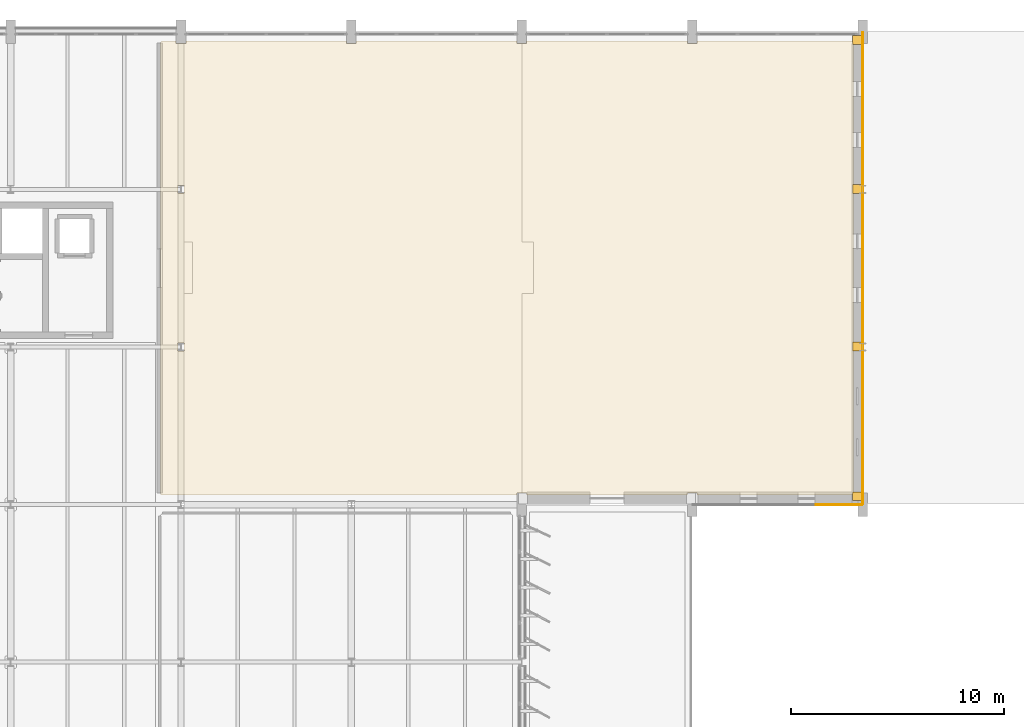
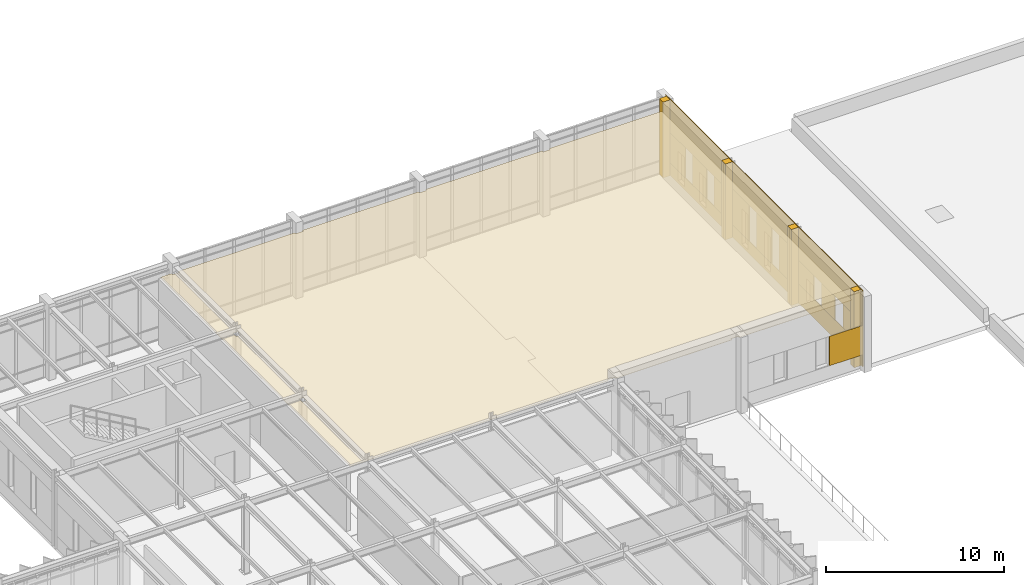
# One storey, part 48 of 48: 21 coverings.
"""IFC4 building model written with IfcOpenShell, lengths in metres."""

from ifc_helpers import new_model, si_unit, direction, frame, frame_2d, origin, origin_2d, place, context, subcontext, project, spatial, polyline, rectangle, outline, extrude, material, layer, layer_set, type_object, element, save


model = new_model("IFC4")

# Units and contexts
model_context = context("Model", 3, precision=1e-05, world=origin(), true_north=direction((0.0, 1.0)))
body_context = subcontext(model_context, "Body", "Model", "MODEL_VIEW")
ifc_project = project(units=[si_unit("LENGTHUNIT", "METRE"), si_unit("AREAUNIT", "SQUARE_METRE"), si_unit("VOLUMEUNIT", "CUBIC_METRE"), si_unit("PLANEANGLEUNIT", "RADIAN"), si_unit("MASSUNIT", "GRAM", prefix="KILO")], contexts=[model_context])

# Site, building, storey
site_placement = place(None, origin())
site = spatial("IfcSite", under=ifc_project, at=site_placement, CompositionType="ELEMENT")
building_placement = place(site_placement, origin())
building = spatial("IfcBuilding", under=site, at=building_placement, Name="Valkorina Park Police Headquarters", CompositionType="ELEMENT")
storey_placement = place(building_placement, frame((0.0, 0.0, 18.10009765625)))
storey = spatial("IfcBuildingStorey", under=building, at=storey_placement, Name="L05", CompositionType="ELEMENT", Elevation=18.10009765625)

# Coverings
ifc_material_1 = material(Name="Acoustic mineral board")
ifc_layer_1 = layer(ifc_material_1, 0.02490234375)
ifc_layer_set_1 = layer_set([ifc_layer_1], Name="Acoustic mineral board")
covering_type_1 = type_object("IfcCoveringType", Name="COV-CEILING-ACOUST", PredefinedType="CEILING", material=ifc_layer_set_1)
covering_1_placement = place(storey_placement, frame((0.0, 0.0, 4.454833984375)))
element("IfcCovering", 1, at=covering_1_placement, inside=storey, type_object=covering_type_1, Name="112 Emergency Command and Control Room Acoustic Suspended Ceiling", PredefinedType="CEILING", context=body_context, shape_type="SweptSolid", body=[
    extrude(outline(polyline([(96.550537109375, 80.95849609375), (96.542724609375, 80.959716796875), (96.534912109375, 80.9599609375), (95.919921875, 80.9599609375), (95.912109375, 80.959716796875), (95.904296875, 80.95849609375), (95.896728515625, 80.95654296875), (95.889404296875, 80.953857421875), (95.88232421875, 80.95068359375), (95.87548828125, 80.946533203125), (95.869140625, 80.94189453125), (95.86328125, 80.9365234375), (95.858154296875, 80.930908203125), (95.853515625, 80.92431640625), (95.849365234375, 80.917724609375), (95.84619140625, 80.91064453125), (95.843505859375, 80.9033203125), (95.841552734375, 80.8955078125), (95.84033203125, 80.8876953125), (95.840087890625, 80.8798828125), (95.840087890625, 59.719970703125), (95.84033203125, 59.712158203125), (95.841552734375, 59.704345703125), (95.843505859375, 59.69677734375), (95.84619140625, 59.689453125), (95.849365234375, 59.682373046875), (95.853515625, 59.675537109375), (95.858154296875, 59.669189453125), (95.86328125, 59.663330078125), (95.869140625, 59.658203125), (95.87548828125, 59.653564453125), (95.88232421875, 59.6494140625), (95.889404296875, 59.64599609375), (95.896728515625, 59.643310546875), (95.904296875, 59.6416015625), (95.912109375, 59.640380859375), (95.919921875, 59.639892578125), (112.534912109375, 59.639892578125), (112.542724609375, 59.640380859375), (112.550537109375, 59.6416015625), (112.55810546875, 59.643310546875), (112.565673828125, 59.64599609375), (112.57275390625, 59.6494140625), (112.574951171875, 59.65087890625), (112.574951171875, 59.75), (113.02490234375, 59.75), (113.02490234375, 59.65087890625), (113.02734375, 59.6494140625), (113.034423828125, 59.64599609375), (113.041748046875, 59.643310546875), (113.04931640625, 59.6416015625), (113.05712890625, 59.640380859375), (113.06494140625, 59.639892578125), (120.534912109375, 59.639892578125), (120.542724609375, 59.640380859375), (120.550537109375, 59.6416015625), (120.55810546875, 59.643310546875), (120.565673828125, 59.64599609375), (120.57275390625, 59.6494140625), (120.574951171875, 59.65087890625), (120.574951171875, 59.75), (121.02490234375, 59.75), (121.02490234375, 59.65087890625), (121.02734375, 59.6494140625), (121.034423828125, 59.64599609375), (121.041748046875, 59.643310546875), (121.04931640625, 59.6416015625), (121.05712890625, 59.640380859375), (121.06494140625, 59.639892578125), (128.280029296875, 59.639892578125), (128.287841796875, 59.640380859375), (128.295654296875, 59.6416015625), (128.30322265625, 59.643310546875), (128.310546875, 59.64599609375), (128.317626953125, 59.6494140625), (128.324462890625, 59.653564453125), (128.330810546875, 59.658203125), (128.336669921875, 59.663330078125), (128.341796875, 59.669189453125), (128.346435546875, 59.675537109375), (128.3505859375, 59.682373046875), (128.35400390625, 59.689453125), (128.356689453125, 59.69677734375), (128.3583984375, 59.704345703125), (128.359619140625, 59.712158203125), (128.360107421875, 59.719970703125), (128.360107421875, 80.8798828125), (128.359619140625, 80.8876953125), (128.3583984375, 80.8955078125), (128.356689453125, 80.9033203125), (128.35400390625, 80.91064453125), (128.3505859375, 80.917724609375), (128.346435546875, 80.92431640625), (128.341796875, 80.930908203125), (128.336669921875, 80.9365234375), (128.330810546875, 80.94189453125), (128.324462890625, 80.946533203125), (128.317626953125, 80.95068359375), (128.310546875, 80.953857421875), (128.30322265625, 80.95654296875), (128.295654296875, 80.95849609375), (128.287841796875, 80.959716796875), (128.280029296875, 80.9599609375), (121.06494140625, 80.9599609375), (121.05712890625, 80.959716796875), (121.04931640625, 80.95849609375), (121.041748046875, 80.95654296875), (121.034423828125, 80.953857421875), (121.02734375, 80.95068359375), (121.02490234375, 80.94921875), (121.02490234375, 80.85009765625), (120.574951171875, 80.85009765625), (120.574951171875, 80.94921875), (120.57275390625, 80.95068359375), (120.565673828125, 80.953857421875), (120.55810546875, 80.95654296875), (120.550537109375, 80.95849609375), (120.542724609375, 80.959716796875), (120.534912109375, 80.9599609375), (113.06494140625, 80.9599609375), (113.05712890625, 80.959716796875), (113.04931640625, 80.95849609375), (113.041748046875, 80.95654296875), (113.034423828125, 80.953857421875), (113.02734375, 80.95068359375), (113.02490234375, 80.94921875), (113.02490234375, 80.85009765625), (112.574951171875, 80.85009765625), (112.574951171875, 80.94921875), (112.57275390625, 80.95068359375), (112.565673828125, 80.953857421875), (112.55810546875, 80.95654296875), (112.550537109375, 80.95849609375), (112.542724609375, 80.959716796875), (112.534912109375, 80.9599609375), (105.06494140625, 80.9599609375), (105.05712890625, 80.959716796875), (105.04931640625, 80.95849609375), (105.041748046875, 80.95654296875), (105.034423828125, 80.953857421875), (105.02734375, 80.95068359375), (105.02490234375, 80.94921875), (105.02490234375, 80.85009765625), (104.574951171875, 80.85009765625), (104.574951171875, 80.94921875), (104.57275390625, 80.95068359375), (104.565673828125, 80.953857421875), (104.55810546875, 80.95654296875), (104.550537109375, 80.95849609375), (104.542724609375, 80.959716796875), (104.534912109375, 80.9599609375), (97.06494140625, 80.9599609375), (97.05712890625, 80.959716796875), (97.04931640625, 80.95849609375), (97.041748046875, 80.95654296875), (97.034423828125, 80.953857421875), (97.02734375, 80.95068359375), (97.02490234375, 80.94921875), (97.02490234375, 80.85009765625), (96.574951171875, 80.85009765625), (96.574951171875, 80.94921875), (96.57275390625, 80.95068359375), (96.565673828125, 80.953857421875), (96.55810546875, 80.95654296875), (96.550537109375, 80.95849609375)]), holes=[polyline([(96.64990234375, 74.179931640625), (96.949951171875, 74.179931640625), (96.949951171875, 73.820068359375), (96.64990234375, 73.820068359375), (96.64990234375, 74.179931640625)]), polyline([(96.64990234375, 66.780029296875), (96.949951171875, 66.780029296875), (96.949951171875, 66.419921875), (96.64990234375, 66.419921875), (96.64990234375, 66.780029296875)])]), origin(), (0.0, 0.0, 1.0), 0.025146484375),
])
ifc_material_2 = material(Name="Precast concrete C40/50", Category="concrete")
ifc_layer_2 = layer(ifc_material_2, 0.044921875)
ifc_layer_set_2 = layer_set([ifc_layer_2], Name="Precast concrete C40/50")
covering_type_2 = type_object("IfcCoveringType", Name="COV-CLAD-DOLOMITE", PredefinedType="CLADDING", material=ifc_layer_set_2)
for number, where, z_axis, x_axis, name in (
    (2, (128.550048828125, 81.010009765625, 0.0), (0.0, 0.0, 1.0), (0.0, 1.0, 0.0), "L05 Exterior Joint Closure Pilaster A 2444"),
    (3, (128.550048828125, 74.02001953125, 0.0), (0.0, 0.0, 1.0), (0.0, 1.0, 0.0), "L05 Exterior Joint Closure Pilaster B 2445"),
):
    element("IfcCovering", number, at=place(storey_placement, frame(where, z_axis=z_axis, x_axis=x_axis)), inside=storey, type_object=covering_type_2, Name=name, PredefinedType="CLADDING", context=body_context, shape_type="SweptSolid", body=[
        extrude(rectangle(XDim=0.419921875, YDim=0.449951171875, at=origin_2d()), origin(), (0.0, 0.0, 1.0), 5.199951171875),
    ])
covering_2_placement = place(storey_placement, frame((128.81494140625, 81.3798828125, 0.0), z_axis=(0.0, 0.0, 1.0), x_axis=(0.0, -1.0, 0.0)))
element("IfcCovering", 4, at=covering_2_placement, inside=storey, type_object=covering_type_2, Name="L05 Calm Concrete Base Sill Spandrel 2446", PredefinedType="CLADDING", context=body_context, shape_type="SweptSolid", body=[
    extrude(rectangle(XDim=7.35986328125, YDim=0.044921875, at=frame_2d((3.679931640625, 0.0))), origin(), (0.0, 0.0, 1.0), 0.869873046875),
])
covering_3_placement = place(storey_placement, frame((128.81494140625, 81.3798828125, 2.929931640625), z_axis=(0.0, 0.0, 1.0), x_axis=(0.0, -1.0, 0.0)))
element("IfcCovering", 5, at=covering_3_placement, inside=storey, type_object=covering_type_2, Name="L05 Calm Concrete Base Lintel Spandrel 2447", PredefinedType="CLADDING", context=body_context, shape_type="SweptSolid", body=[
    extrude(rectangle(XDim=7.35986328125, YDim=0.044921875, at=frame_2d((3.679931640625, 0.0))), origin(), (0.0, 0.0, 1.0), 2.27001953125),
])
covering_4_placement = place(storey_placement, frame((128.81494140625, 81.3798828125, 0.869873046875), z_axis=(0.0, 0.0, 1.0), x_axis=(0.0, -1.0, 0.0)))
element("IfcCovering", 6, at=covering_4_placement, inside=storey, type_object=covering_type_2, Name="L05 Calm Concrete Base Slot Pier 2448", PredefinedType="CLADDING", context=body_context, shape_type="SweptSolid", body=[
    extrude(rectangle(XDim=2.267822265625, YDim=0.044921875, at=frame_2d((1.1337890625, 0.0))), origin(), (0.0, 0.0, 1.0), 2.06005859375),
])
covering_5_placement = place(storey_placement, frame((128.81494140625, 78.31201171875, 0.869873046875), z_axis=(0.0, 0.0, 1.0), x_axis=(0.0, -1.0, 0.0)))
element("IfcCovering", 7, at=covering_5_placement, inside=storey, type_object=covering_type_2, Name="L05 Calm Concrete Base Slot Pier 2449", PredefinedType="CLADDING", context=body_context, shape_type="SweptSolid", body=[
    extrude(rectangle(XDim=1.593994140625, YDim=0.044921875, at=frame_2d((0.796875, 0.0))), origin(), (0.0, 0.0, 1.0), 2.06005859375),
])
covering_6_placement = place(storey_placement, frame((128.81494140625, 75.91796875, 0.869873046875), z_axis=(0.0, 0.0, 1.0), x_axis=(0.0, -1.0, 0.0)))
element("IfcCovering", 8, at=covering_6_placement, inside=storey, type_object=covering_type_2, Name="L05 Calm Concrete Base Slot Pier 2450", PredefinedType="CLADDING", context=body_context, shape_type="SweptSolid", body=[
    extrude(rectangle(XDim=1.89794921875, YDim=0.044921875, at=frame_2d((0.948974609375, 0.0))), origin(), (0.0, 0.0, 1.0), 2.06005859375),
])
covering_7_placement = place(storey_placement, frame((128.550048828125, 66.6201171875, 0.0), z_axis=(0.0, 0.0, 1.0), x_axis=(0.0, 1.0, 0.0)))
element("IfcCovering", 9, at=covering_7_placement, inside=storey, type_object=covering_type_2, Name="L05 Exterior Joint Closure Pilaster B 2451", PredefinedType="CLADDING", context=body_context, shape_type="SweptSolid", body=[
    extrude(rectangle(XDim=0.419921875, YDim=0.449951171875, at=origin_2d()), origin(), (0.0, 0.0, 1.0), 5.199951171875),
])
covering_8_placement = place(storey_placement, frame((128.81494140625, 73.97998046875, 0.0), z_axis=(0.0, 0.0, 1.0), x_axis=(0.0, -1.0, 0.0)))
element("IfcCovering", 10, at=covering_8_placement, inside=storey, type_object=covering_type_2, Name="L05 Calm Concrete Base Sill Spandrel 2452", PredefinedType="CLADDING", context=body_context, shape_type="SweptSolid", body=[
    extrude(rectangle(XDim=7.35986328125, YDim=0.044921875, at=frame_2d((3.679931640625, 0.0))), origin(), (0.0, 0.0, 1.0), 0.869873046875),
])
covering_9_placement = place(storey_placement, frame((128.81494140625, 73.97998046875, 3.329833984375), z_axis=(0.0, 0.0, 1.0), x_axis=(0.0, -1.0, 0.0)))
element("IfcCovering", 11, at=covering_9_placement, inside=storey, type_object=covering_type_2, Name="L05 Calm Concrete Base Lintel Spandrel 2453", PredefinedType="CLADDING", context=body_context, shape_type="SweptSolid", body=[
    extrude(rectangle(XDim=7.35986328125, YDim=0.044921875, at=frame_2d((3.679931640625, 0.0))), origin(), (0.0, 0.0, 1.0), 1.8701171875),
])
covering_10_placement = place(storey_placement, frame((128.81494140625, 73.97998046875, 0.869873046875), z_axis=(0.0, 0.0, 1.0), x_axis=(0.0, -1.0, 0.0)))
element("IfcCovering", 12, at=covering_10_placement, inside=storey, type_object=covering_type_2, Name="L05 Calm Concrete Base Slot Pier 2454", PredefinedType="CLADDING", context=body_context, shape_type="SweptSolid", body=[
    extrude(rectangle(XDim=2.016357421875, YDim=0.044921875, at=frame_2d((1.00830078125, 0.0))), origin(), (0.0, 0.0, 1.0), 2.4599609375),
])
covering_11_placement = place(storey_placement, frame((128.81494140625, 71.16357421875, 0.869873046875), z_axis=(0.0, 0.0, 1.0), x_axis=(0.0, -1.0, 0.0)))
element("IfcCovering", 13, at=covering_11_placement, inside=storey, type_object=covering_type_2, Name="L05 Calm Concrete Base Slot Pier 2455", PredefinedType="CLADDING", context=body_context, shape_type="SweptSolid", body=[
    extrude(rectangle(XDim=1.727294921875, YDim=0.044921875, at=frame_2d((0.86376953125, 0.0))), origin(), (0.0, 0.0, 1.0), 2.4599609375),
])
covering_12_placement = place(storey_placement, frame((128.81494140625, 68.636474609375, 0.869873046875), z_axis=(0.0, 0.0, 1.0), x_axis=(0.0, -1.0, 0.0)))
element("IfcCovering", 14, at=covering_12_placement, inside=storey, type_object=covering_type_2, Name="L05 Calm Concrete Base Slot Pier 2456", PredefinedType="CLADDING", context=body_context, shape_type="SweptSolid", body=[
    extrude(rectangle(XDim=2.016357421875, YDim=0.044921875, at=frame_2d((1.00830078125, 0.0))), origin(), (0.0, 0.0, 1.0), 2.4599609375),
])
covering_13_placement = place(storey_placement, frame((128.550048828125, 59.590087890625, 0.0), z_axis=(0.0, 0.0, 1.0), x_axis=(0.0, 1.0, 0.0)))
element("IfcCovering", 15, at=covering_13_placement, inside=storey, type_object=covering_type_2, Name="L05 Exterior Joint Closure Pilaster B 2457", PredefinedType="CLADDING", context=body_context, shape_type="SweptSolid", body=[
    extrude(rectangle(XDim=0.419921875, YDim=0.449951171875, at=origin_2d()), origin(), (0.0, 0.0, 1.0), 5.199951171875),
])
covering_14_placement = place(storey_placement, frame((128.81494140625, 66.580078125, 0.0), z_axis=(0.0, 0.0, 1.0), x_axis=(0.0, -1.0, 0.0)))
element("IfcCovering", 16, at=covering_14_placement, inside=storey, type_object=covering_type_2, Name="L05 Calm Concrete Base Sill Spandrel 2458", PredefinedType="CLADDING", context=body_context, shape_type="SweptSolid", body=[
    extrude(rectangle(XDim=7.360107421875, YDim=0.044921875, at=frame_2d((3.68017578125, 0.0))), origin(), (0.0, 0.0, 1.0), 1.31982421875),
])
covering_15_placement = place(storey_placement, frame((128.81494140625, 66.580078125, 2.929931640625), z_axis=(0.0, 0.0, 1.0), x_axis=(0.0, -1.0, 0.0)))
element("IfcCovering", 17, at=covering_15_placement, inside=storey, type_object=covering_type_2, Name="L05 Calm Concrete Base Lintel Spandrel 2459", PredefinedType="CLADDING", context=body_context, shape_type="SweptSolid", body=[
    extrude(rectangle(XDim=7.360107421875, YDim=0.044921875, at=frame_2d((3.68017578125, 0.0))), origin(), (0.0, 0.0, 1.0), 2.27001953125),
])
covering_16_placement = place(storey_placement, frame((128.81494140625, 66.580078125, 1.31982421875), z_axis=(0.0, 0.0, 1.0), x_axis=(0.0, -1.0, 0.0)))
element("IfcCovering", 18, at=covering_16_placement, inside=storey, type_object=covering_type_2, Name="L05 Calm Concrete Base Slot Pier 2460", PredefinedType="CLADDING", context=body_context, shape_type="SweptSolid", body=[
    extrude(rectangle(XDim=1.84814453125, YDim=0.044921875, at=frame_2d((0.924072265625, 0.0))), origin(), (0.0, 0.0, 1.0), 1.610107421875),
])
covering_17_placement = place(storey_placement, frame((128.81494140625, 63.83203125, 1.31982421875), z_axis=(0.0, 0.0, 1.0), x_axis=(0.0, -1.0, 0.0)))
element("IfcCovering", 19, at=covering_17_placement, inside=storey, type_object=covering_type_2, Name="L05 Calm Concrete Base Slot Pier 2461", PredefinedType="CLADDING", context=body_context, shape_type="SweptSolid", body=[
    extrude(rectangle(XDim=1.494140625, YDim=0.044921875, at=frame_2d((0.7470703125, 0.0))), origin(), (0.0, 0.0, 1.0), 1.610107421875),
])
covering_18_placement = place(storey_placement, frame((128.81494140625, 61.43798828125, 1.31982421875), z_axis=(0.0, 0.0, 1.0), x_axis=(0.0, -1.0, 0.0)))
element("IfcCovering", 20, at=covering_18_placement, inside=storey, type_object=covering_type_2, Name="L05 Calm Concrete Base Slot Pier 2462", PredefinedType="CLADDING", context=body_context, shape_type="SweptSolid", body=[
    extrude(rectangle(XDim=2.218017578125, YDim=0.044921875, at=frame_2d((1.10888671875, 0.0))), origin(), (0.0, 0.0, 1.0), 1.610107421875),
])
covering_19_placement = place(storey_placement, frame((128.780029296875, 59.18505859375, 0.869873046875), z_axis=(0.0, 0.0, 1.0), x_axis=(-1.0, 0.0, 0.0)))
element("IfcCovering", 21, at=covering_19_placement, inside=storey, type_object=covering_type_2, Name="L05 Calm Concrete Base Slot Pier 2466", PredefinedType="CLADDING", context=body_context, shape_type="SweptSolid", body=[
    extrude(rectangle(XDim=2.174560546875, YDim=0.044921875, at=frame_2d((1.08740234375, 0.0))), origin(), (0.0, 0.0, 1.0), 2.010009765625),
])

save(model, "model.ifc")
